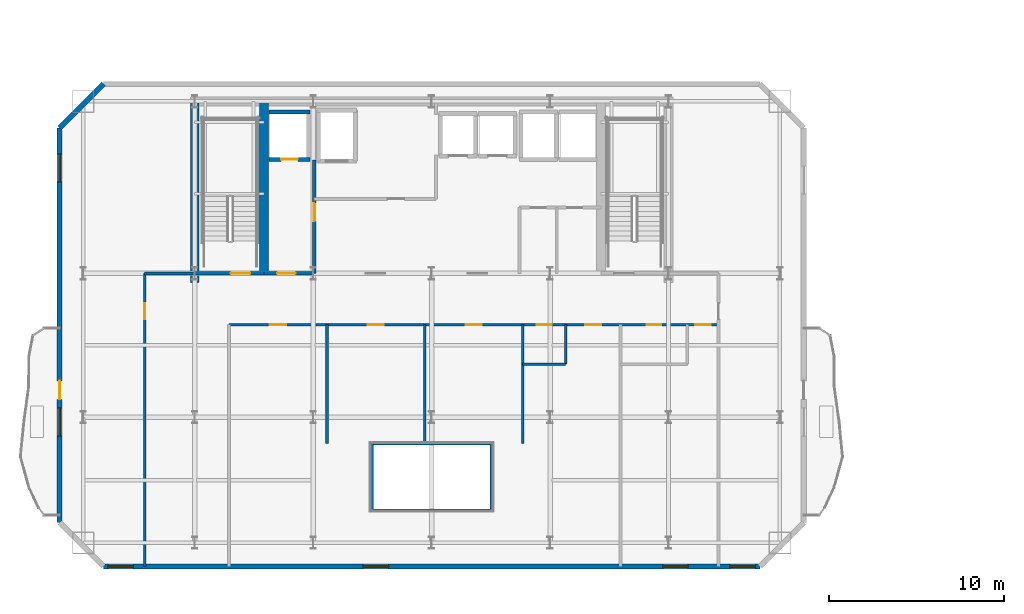
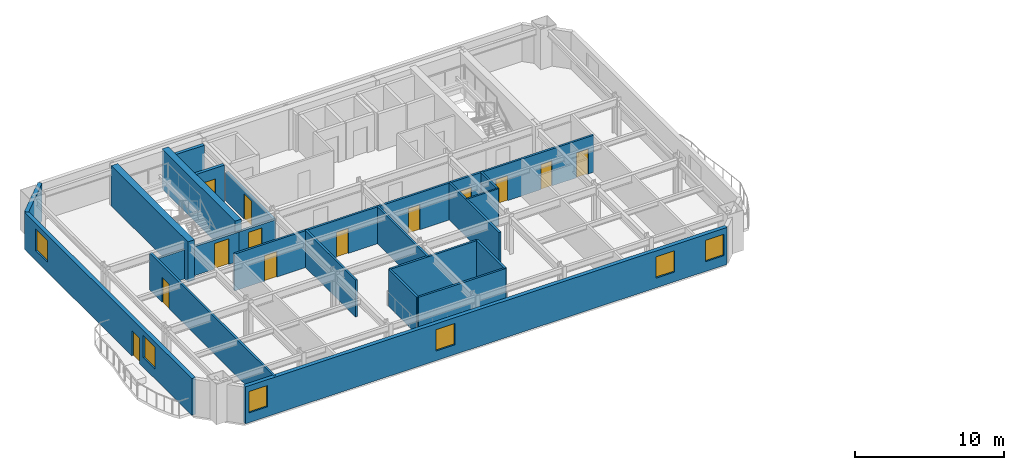
# One storey, part 5 of 13: 22 walls, 13 doors, 6 windows, 19 openings.
"""IFC4 building model written with IfcOpenShell, lengths in metres."""

from ifc_helpers import new_model, si_unit, direction, frame, frame_2d, origin, place, context, subcontext, project, spatial, rectangle, extrude, material, layer, layer_set, type_object, element, fill, save


model = new_model("IFC4")

# Units and contexts
model_context = context("Model", 3, precision=1e-05, world=origin(), true_north=direction((0.0, 1.0)))
body_context = subcontext(model_context, "Body", "Model", "MODEL_VIEW")
ifc_project = project(units=[si_unit("LENGTHUNIT", "METRE"), si_unit("AREAUNIT", "SQUARE_METRE"), si_unit("VOLUMEUNIT", "CUBIC_METRE"), si_unit("PLANEANGLEUNIT", "RADIAN"), si_unit("MASSUNIT", "GRAM", prefix="KILO")], contexts=[model_context])

# Site, building, storey
site_placement = place(None, origin())
site = spatial("IfcSite", under=ifc_project, at=site_placement, CompositionType="ELEMENT")
building_placement = place(site_placement, origin())
building = spatial("IfcBuilding", under=site, at=building_placement, Name="Haevon Station Towers", CompositionType="ELEMENT")
storey_placement = place(building_placement, frame((0.0, 0.0, 149.39990234375)))
storey = spatial("IfcBuildingStorey", under=building, at=storey_placement, Name="L40", CompositionType="ELEMENT", Elevation=149.39990234375)

# Wall, opening, door
ifc_material_1 = material(Name="Gypsum board on steel stud", Category="steel")
ifc_layer_1 = layer(ifc_material_1, 0.199951171875)
ifc_layer_set_1 = layer_set([ifc_layer_1], Name="Gypsum board on steel stud")
wall_type_1 = type_object("IfcWallType", Name="WL-COR200", PredefinedType="PARTITIONING", material=ifc_layer_set_1)
wall_1_placement = place(storey_placement, frame((24.0, 38.199951171875, 0.0), z_axis=(0.0, 0.0, 1.0), x_axis=(1.0, 0.0, 0.0)))
wall_1 = element("IfcWall", 1, at=wall_1_placement, inside=storey, type_object=wall_type_1, Name="WL-ST-ST1-L40", PredefinedType="PARTITIONING", context=body_context, shape_type="SweptSolid", body=[
    extrude(rectangle(XDim=3.949951171875, YDim=0.199951171875, at=frame_2d((1.97509765625, 0.0))), origin(), (0.0, 0.0, 1.0), 2.380126953125),
])
opening_1_placement = place(wall_1_placement, frame((2.050048828125, 0.0, 0.0)))
opening_1 = element("IfcOpeningElement", 2, at=opening_1_placement, cuts=wall_1, Name="Opening DR-ST-ST1-L40", PredefinedType="OPENING", context=body_context, shape_type="SweptSolid", body=[
    extrude(rectangle(XDim=1.1201171875, YDim=2.10009765625, at=frame_2d((0.56005859375, 1.050048828125))), frame((0.0, 0.10986328125, 0.0), z_axis=(0.0, -1.0, 0.0), x_axis=(1.0, 0.0, 0.0)), (0.0, 0.0, 1.0), 0.219970703125),
])
ifc_material_2 = material(Name="Engineered oak timber", Category="wood")
door_type_1 = type_object("IfcDoorType", Name="DR-ST-1120", OperationType="NOTDEFINED", PredefinedType="DOOR", material=ifc_material_2)
door_1_placement = place(opening_1_placement, origin())
door_1 = element("IfcDoor", 3, at=door_1_placement, inside=storey, type_object=door_type_1, Name="L40 Escape Stair ST1 Fire Door", OperationType="SINGLE_SWING_LEFT", OverallHeight=2.10009765625, OverallWidth=1.1201171875, PredefinedType="DOOR", context=body_context, shape_type="SweptSolid", body=[
    extrude(rectangle(XDim=1.1201171875, YDim=2.10009765625, at=frame_2d((0.56005859375, 1.050048828125))), frame((0.0, 0.02490234375, 0.0), z_axis=(0.0, -1.0, 0.0), x_axis=(1.0, 0.0, 0.0)), (0.0, 0.0, 1.0), 0.050048828125),
])
fill(opening_1, door_1)

wall_2_placement = place(storey_placement, frame((30.800048828125, 38.199951171875, 0.0), z_axis=(0.0, 0.0, 1.0), x_axis=(0.0, 1.0, 0.0)))
wall_2 = element("IfcWall", 4, at=wall_2_placement, inside=storey, type_object=wall_type_1, Name="WL-T1FFL-L40-E", PredefinedType="PARTITIONING", context=body_context, shape_type="SweptSolid", body=[
    extrude(rectangle(XDim=6.449951171875, YDim=0.199951171875, at=frame_2d((3.22509765625, 0.0))), origin(), (0.0, 0.0, 1.0), 2.380126953125),
])
opening_2_placement = place(wall_2_placement, frame((2.9599609375, 0.0, 0.0)))
opening_2 = element("IfcOpeningElement", 5, at=opening_2_placement, cuts=wall_2, Name="Opening DR-T1FFL-L40-E", PredefinedType="OPENING", context=body_context, shape_type="SweptSolid", body=[
    extrude(rectangle(XDim=1.050048828125, YDim=2.10009765625, at=frame_2d((0.52490234375, 1.050048828125))), frame((0.0, 0.10986328125, 0.0), z_axis=(0.0, -1.0, 0.0), x_axis=(1.0, 0.0, 0.0)), (0.0, 0.0, 1.0), 0.219970703125),
])
door_type_2 = type_object("IfcDoorType", Name="DR-FD60-1050", OperationType="NOTDEFINED", PredefinedType="DOOR", material=ifc_material_2)
door_2_placement = place(opening_2_placement, origin())
door_2 = element("IfcDoor", 6, at=door_2_placement, inside=storey, type_object=door_type_2, Name="L40 Tower 1 Firefighting Lift Lobby Door E", OperationType="SINGLE_SWING_LEFT", OverallHeight=2.10009765625, OverallWidth=1.050048828125, PredefinedType="DOOR", context=body_context, shape_type="SweptSolid", body=[
    extrude(rectangle(XDim=1.050048828125, YDim=2.10009765625, at=frame_2d((0.52490234375, 1.050048828125))), frame((0.0, 0.02490234375, 0.0), z_axis=(0.0, -1.0, 0.0), x_axis=(1.0, 0.0, 0.0)), (0.0, 0.0, 1.0), 0.050048828125),
])
fill(opening_2, door_2)

wall_3_placement = place(storey_placement, frame((27.949951171875, 38.199951171875, 0.0), z_axis=(0.0, 0.0, 1.0), x_axis=(1.0, 0.0, 0.0)))
wall_3 = element("IfcWall", 7, at=wall_3_placement, inside=storey, type_object=wall_type_1, Name="WL-T1FFL-L40-S", PredefinedType="PARTITIONING", context=body_context, shape_type="SweptSolid", body=[
    extrude(rectangle(XDim=2.85009765625, YDim=0.199951171875, at=frame_2d((1.425048828125, 0.0))), origin(), (0.0, 0.0, 1.0), 2.380126953125),
])
opening_3_placement = place(wall_3_placement, frame((0.75, 0.0, 0.0)))
opening_3 = element("IfcOpeningElement", 8, at=opening_3_placement, cuts=wall_3, Name="Opening DR-T1FFL-L40-S", PredefinedType="OPENING", context=body_context, shape_type="SweptSolid", body=[
    extrude(rectangle(XDim=1.050048828125, YDim=2.10009765625, at=frame_2d((0.52490234375, 1.050048828125))), frame((0.0, 0.10986328125, 0.0), z_axis=(0.0, -1.0, 0.0), x_axis=(1.0, 0.0, 0.0)), (0.0, 0.0, 1.0), 0.219970703125),
])
door_3_placement = place(opening_3_placement, origin())
door_3 = element("IfcDoor", 9, at=door_3_placement, inside=storey, type_object=door_type_2, Name="L40 Tower 1 Firefighting Lift Lobby Door S", OperationType="SINGLE_SWING_RIGHT", OverallHeight=2.10009765625, OverallWidth=1.050048828125, PredefinedType="DOOR", context=body_context, shape_type="SweptSolid", body=[
    extrude(rectangle(XDim=1.050048828125, YDim=2.10009765625, at=frame_2d((0.52490234375, 1.050048828125))), frame((0.0, 0.02490234375, 0.0), z_axis=(0.0, -1.0, 0.0), x_axis=(1.0, 0.0, 0.0)), (0.0, 0.0, 1.0), 0.050048828125),
])
fill(opening_3, door_3)

# Walls
ifc_material_3 = material(Name="Concrete C60/75", Category="concrete")
ifc_layer_2 = layer(ifc_material_3, 0.5)
ifc_layer_set_2 = layer_set([ifc_layer_2], Name="Concrete C60/75")
wall_type_2 = type_object("IfcWallType", Name="WL-CR500", PredefinedType="SHEAR", material=ifc_layer_set_2)
wall_4_placement = place(storey_placement, frame((24.0, 37.679931640625, 0.0), z_axis=(0.0, 0.0, 1.0), x_axis=(0.0, 1.0, 0.0)))
element("IfcWall", 10, at=wall_4_placement, inside=storey, type_object=wall_type_2, Name="WL-T1CR-L40-W", PredefinedType="SHEAR", context=body_context, shape_type="SweptSolid", body=[
    extrude(rectangle(XDim=10.320068359375, YDim=0.5, at=frame_2d((5.16015625, 0.0))), origin(), (0.0, 0.0, 1.0), 3.300048828125),
])
wall_5_placement = place(storey_placement, frame((27.949951171875, 38.199951171875, 0.0), z_axis=(0.0, 0.0, 1.0), x_axis=(0.0, 1.0, 0.0)))
element("IfcWall", 11, at=wall_5_placement, inside=storey, type_object=wall_type_2, Name="WL-T1CR-L40-M1", PredefinedType="SHEAR", context=body_context, shape_type="SweptSolid", body=[
    extrude(rectangle(XDim=9.800048828125, YDim=0.5, at=frame_2d((4.89990234375, 0.0))), origin(), (0.0, 0.0, 1.0), 3.300048828125),
])

# Wall, openings, windows
ifc_material_4 = material(Name="Precast concrete C45/55", Category="concrete")
ifc_layer_3 = layer(ifc_material_4, 0.300048828125)
ifc_layer_set_3 = layer_set([ifc_layer_3], Name="Precast concrete C45/55")
wall_type_3 = type_object("IfcWallType", Name="WL-EXT-PIER300", PredefinedType="SOLIDWALL", material=ifc_layer_set_3)
wall_6_placement = place(storey_placement, frame((56.199951171875, 21.5, 0.0), z_axis=(0.0, 0.0, 1.0), x_axis=(-1.0, 0.0, 0.0)))
wall_6 = element("IfcWall", 12, at=wall_6_placement, inside=storey, type_object=wall_type_3, Name="WL-T1-L40-S", PredefinedType="SOLIDWALL", context=body_context, shape_type="SweptSolid", body=[
    extrude(rectangle(XDim=37.39990234375, YDim=0.300048828125, at=frame_2d((18.699951171875, 0.0))), origin(), (0.0, 0.0, 1.0), 3.030029296875),
])
opening_4_placement = place(wall_6_placement, frame((35.699951171875, 0.0, 0.800048828125)))
opening_4 = element("IfcOpeningElement", 13, at=opening_4_placement, cuts=wall_6, Name="Opening WN-P145", PredefinedType="OPENING", context=body_context, shape_type="SweptSolid", body=[
    extrude(rectangle(XDim=1.449951171875, YDim=1.75, at=frame_2d((0.72509765625, 0.875))), frame((0.0, 0.159912109375, 0.0), z_axis=(0.0, -1.0, 0.0), x_axis=(1.0, 0.0, 0.0)), (0.0, 0.0, 1.0), 0.320068359375),
])
opening_5_placement = place(wall_6_placement, frame((0.25, 0.0, 0.800048828125)))
opening_5 = element("IfcOpeningElement", 14, at=opening_5_placement, cuts=wall_6, Name="Opening WN-P145", PredefinedType="OPENING", context=body_context, shape_type="SweptSolid", body=[
    extrude(rectangle(XDim=1.449951171875, YDim=1.75, at=frame_2d((0.72509765625, 0.875))), frame((0.0, 0.159912109375, 0.0), z_axis=(0.0, -1.0, 0.0), x_axis=(1.0, 0.0, 0.0)), (0.0, 0.0, 1.0), 0.320068359375),
])
opening_6_placement = place(wall_6_placement, frame((21.155029296875, 0.0, 0.800048828125)))
opening_6 = element("IfcOpeningElement", 15, at=opening_6_placement, cuts=wall_6, Name="Opening WN-P145", PredefinedType="OPENING", context=body_context, shape_type="SweptSolid", body=[
    extrude(rectangle(XDim=1.449951171875, YDim=1.75, at=frame_2d((0.72509765625, 0.875))), frame((0.0, 0.159912109375, 0.0), z_axis=(0.0, -1.0, 0.0), x_axis=(1.0, 0.0, 0.0)), (0.0, 0.0, 1.0), 0.320068359375),
])
opening_7_placement = place(wall_6_placement, frame((4.077880859375, 0.0, 0.800048828125)))
opening_7 = element("IfcOpeningElement", 16, at=opening_7_placement, cuts=wall_6, Name="Opening WN-P145", PredefinedType="OPENING", context=body_context, shape_type="SweptSolid", body=[
    extrude(rectangle(XDim=1.449951171875, YDim=1.75, at=frame_2d((0.72509765625, 0.875))), frame((0.0, 0.159912109375, 0.0), z_axis=(0.0, -1.0, 0.0), x_axis=(1.0, 0.0, 0.0)), (0.0, 0.0, 1.0), 0.320068359375),
])
ifc_material_5 = material(Name="Low-E triple glazing in thermally broken aluminium", Category="aluminium")
window_type_1 = type_object("IfcWindowType", Name="WN-P145", PartitioningType="SINGLE_PANEL", PredefinedType="WINDOW", material=ifc_material_5)
window_1_placement = place(opening_4_placement, origin())
window_1 = element("IfcWindow", 17, at=window_1_placement, inside=storey, type_object=window_type_1, Name="WN-T1-L40-S01", OverallHeight=1.75, OverallWidth=1.449951171875, PartitioningType="SINGLE_PANEL", PredefinedType="WINDOW", context=body_context, shape_type="SweptSolid", body=[
    extrude(rectangle(XDim=1.449951171875, YDim=1.75, at=frame_2d((0.72509765625, 0.875))), frame((0.0, 0.030029296875, 0.0), z_axis=(0.0, -1.0, 0.0), x_axis=(1.0, 0.0, 0.0)), (0.0, 0.0, 1.0), 0.06005859375),
])
fill(opening_4, window_1)
window_2_placement = place(opening_5_placement, origin())
window_2 = element("IfcWindow", 18, at=window_2_placement, inside=storey, type_object=window_type_1, Name="WN-T1-L40-S02", OverallHeight=1.75, OverallWidth=1.449951171875, PartitioningType="SINGLE_PANEL", PredefinedType="WINDOW", context=body_context, shape_type="SweptSolid", body=[
    extrude(rectangle(XDim=1.449951171875, YDim=1.75, at=frame_2d((0.72509765625, 0.875))), frame((0.0, 0.030029296875, 0.0), z_axis=(0.0, -1.0, 0.0), x_axis=(1.0, 0.0, 0.0)), (0.0, 0.0, 1.0), 0.06005859375),
])
fill(opening_5, window_2)
window_3_placement = place(opening_6_placement, origin())
window_3 = element("IfcWindow", 19, at=window_3_placement, inside=storey, type_object=window_type_1, Name="WN-T1-L40-S03", OverallHeight=1.75, OverallWidth=1.449951171875, PartitioningType="SINGLE_PANEL", PredefinedType="WINDOW", context=body_context, shape_type="SweptSolid", body=[
    extrude(rectangle(XDim=1.449951171875, YDim=1.75, at=frame_2d((0.72509765625, 0.875))), frame((0.0, 0.030029296875, 0.0), z_axis=(0.0, -1.0, 0.0), x_axis=(1.0, 0.0, 0.0)), (0.0, 0.0, 1.0), 0.06005859375),
])
fill(opening_6, window_3)
window_4_placement = place(opening_7_placement, origin())
window_4 = element("IfcWindow", 20, at=window_4_placement, inside=storey, type_object=window_type_1, Name="WN-T1-L40-S04", OverallHeight=1.75, OverallWidth=1.449951171875, PartitioningType="SINGLE_PANEL", PredefinedType="WINDOW", context=body_context, shape_type="SweptSolid", body=[
    extrude(rectangle(XDim=1.449951171875, YDim=1.75, at=frame_2d((0.72509765625, 0.875))), frame((0.0, 0.030029296875, 0.0), z_axis=(0.0, -1.0, 0.0), x_axis=(1.0, 0.0, 0.0)), (0.0, 0.0, 1.0), 0.06005859375),
])
fill(opening_7, window_4)

# Wall, openings, door, windows
wall_7_placement = place(storey_placement, frame((16.300048828125, 24.0, 0.0), z_axis=(0.0, 0.0, 1.0), x_axis=(0.0, 1.0, 0.0)))
wall_7 = element("IfcWall", 21, at=wall_7_placement, inside=storey, type_object=wall_type_3, Name="WL-T1-L40-W", PredefinedType="SOLIDWALL", context=body_context, shape_type="SweptSolid", body=[
    extrude(rectangle(XDim=22.5, YDim=0.300048828125, at=frame_2d((11.25, 0.0))), origin(), (0.0, 0.0, 1.0), 3.030029296875),
])
opening_8_placement = place(wall_7_placement, frame((7.02490234375, 0.0, 0.0)))
opening_8 = element("IfcOpeningElement", 22, at=opening_8_placement, cuts=wall_7, Name="Opening DR-T1-SCAL-L40-W", PredefinedType="OPENING", context=body_context, shape_type="SweptSolid", body=[
    extrude(rectangle(XDim=1.050048828125, YDim=2.10009765625, at=frame_2d((0.52490234375, 1.050048828125))), frame((0.0, 0.159912109375, 0.0), z_axis=(0.0, -1.0, 0.0), x_axis=(1.0, 0.0, 0.0)), (0.0, 0.0, 1.0), 0.320068359375),
])
opening_9_placement = place(wall_7_placement, frame((4.935791015625, 0.0, 0.800048828125)))
opening_9 = element("IfcOpeningElement", 23, at=opening_9_placement, cuts=wall_7, Name="Opening WN-END160", PredefinedType="OPENING", context=body_context, shape_type="SweptSolid", body=[
    extrude(rectangle(XDim=1.60009765625, YDim=1.800048828125, at=frame_2d((0.800048828125, 0.89990234375))), frame((0.0, 0.159912109375, 0.0), z_axis=(0.0, -1.0, 0.0), x_axis=(1.0, 0.0, 0.0)), (0.0, 0.0, 1.0), 0.320068359375),
])
opening_10_placement = place(wall_7_placement, frame((19.41064453125, 0.0, 0.800048828125)))
opening_10 = element("IfcOpeningElement", 24, at=opening_10_placement, cuts=wall_7, Name="Opening WN-END160", PredefinedType="OPENING", context=body_context, shape_type="SweptSolid", body=[
    extrude(rectangle(XDim=1.60009765625, YDim=1.800048828125, at=frame_2d((0.800048828125, 0.89990234375))), frame((0.0, 0.159912109375, 0.0), z_axis=(0.0, -1.0, 0.0), x_axis=(1.0, 0.0, 0.0)), (0.0, 0.0, 1.0), 0.320068359375),
])
ifc_material_6 = material(Name="Thermally broken anodised aluminium and laminated safety glass", Category="aluminium")
door_type_3 = type_object("IfcDoorType", Name="DR-BALC-1050", OperationType="NOTDEFINED", PredefinedType="DOOR", material=ifc_material_6)
door_4_placement = place(opening_8_placement, origin())
door_4 = element("IfcDoor", 25, at=door_4_placement, inside=storey, type_object=door_type_3, Name="Tower 1 L40 West Scalloped Balcony Door", OperationType="SINGLE_SWING_RIGHT", OverallHeight=2.10009765625, OverallWidth=1.050048828125, PredefinedType="DOOR", context=body_context, shape_type="SweptSolid", body=[
    extrude(rectangle(XDim=1.050048828125, YDim=2.10009765625, at=frame_2d((0.52490234375, 1.050048828125))), frame((0.0, 0.02490234375, 0.0), z_axis=(0.0, -1.0, 0.0), x_axis=(1.0, 0.0, 0.0)), (0.0, 0.0, 1.0), 0.050048828125),
])
fill(opening_8, door_4)
window_type_2 = type_object("IfcWindowType", Name="WN-END160", PartitioningType="SINGLE_PANEL", PredefinedType="WINDOW", material=ifc_material_5)
window_5_placement = place(opening_9_placement, origin())
window_5 = element("IfcWindow", 26, at=window_5_placement, inside=storey, type_object=window_type_2, Name="WN-T1-L40-W01", OverallHeight=1.800048828125, OverallWidth=1.60009765625, PartitioningType="SINGLE_PANEL", PredefinedType="WINDOW", context=body_context, shape_type="SweptSolid", body=[
    extrude(rectangle(XDim=1.60009765625, YDim=1.800048828125, at=frame_2d((0.800048828125, 0.89990234375))), frame((0.0, 0.030029296875, 0.0), z_axis=(0.0, -1.0, 0.0), x_axis=(1.0, 0.0, 0.0)), (0.0, 0.0, 1.0), 0.06005859375),
])
fill(opening_9, window_5)
window_6_placement = place(opening_10_placement, origin())
window_6 = element("IfcWindow", 27, at=window_6_placement, inside=storey, type_object=window_type_2, Name="WN-T1-L40-W02", OverallHeight=1.800048828125, OverallWidth=1.60009765625, PartitioningType="SINGLE_PANEL", PredefinedType="WINDOW", context=body_context, shape_type="SweptSolid", body=[
    extrude(rectangle(XDim=1.60009765625, YDim=1.800048828125, at=frame_2d((0.800048828125, 0.89990234375))), frame((0.0, 0.030029296875, 0.0), z_axis=(0.0, -1.0, 0.0), x_axis=(1.0, 0.0, 0.0)), (0.0, 0.0, 1.0), 0.06005859375),
])
fill(opening_10, window_6)

# Walls
wall_8_placement = place(storey_placement, frame((16.300048828125, 46.5, 0.0), z_axis=(0.0, 0.0, 1.0), x_axis=(0.707106781187, 0.707106781187, 0.0)))
element("IfcWall", 28, at=wall_8_placement, inside=storey, type_object=wall_type_3, Name="WL-T1-L40-NWC", PredefinedType="SOLIDWALL", context=body_context, shape_type="SweptSolid", body=[
    extrude(rectangle(XDim=3.53564453125, YDim=0.300048828125, at=frame_2d((1.767822265625, 0.0))), origin(), (0.0, 0.0, 1.0), 3.030029296875),
])
ifc_layer_4 = layer(ifc_material_1, 0.125)
ifc_layer_set_4 = layer_set([ifc_layer_4], Name="Gypsum board on steel stud")
wall_type_4 = type_object("IfcWallType", Name="WL-PRT125", PredefinedType="PARTITIONING", material=ifc_layer_set_4)
wall_9_placement = place(storey_placement, frame((42.68994140625, 33.030029296875, 0.0), z_axis=(0.0, 0.0, 1.0), x_axis=(1.0, 0.0, 0.0)))
element("IfcWall", 29, at=wall_9_placement, inside=storey, type_object=wall_type_4, Name="WL-T1PT-L40-15", PredefinedType="PARTITIONING", context=body_context, shape_type="SweptSolid", body=[
    extrude(rectangle(XDim=2.449951171875, YDim=0.125, at=frame_2d((1.22509765625, 0.0))), origin(), (0.0, 0.0, 1.0), 3.030029296875),
])
ifc_layer_5 = layer(ifc_material_1, 0.139892578125)
ifc_layer_set_5 = layer_set([ifc_layer_5], Name="Gypsum board on steel stud")
wall_type_5 = type_object("IfcWallType", Name="WL-PRT140", PredefinedType="PARTITIONING", material=ifc_layer_set_5)
wall_10_placement = place(storey_placement, frame((45.139892578125, 33.030029296875, 0.0), z_axis=(0.0, 0.0, 1.0), x_axis=(0.0, 1.0, 0.0)))
element("IfcWall", 30, at=wall_10_placement, inside=storey, type_object=wall_type_5, Name="WL-T1PT-L40-16", PredefinedType="PARTITIONING", context=body_context, shape_type="SweptSolid", body=[
    extrude(rectangle(XDim=2.25, YDim=0.139892578125, at=frame_2d((1.125, 0.0))), origin(), (0.0, 0.0, 1.0), 3.030029296875),
])
ifc_layer_6 = layer(ifc_material_1, 0.159912109375)
ifc_layer_set_6 = layer_set([ifc_layer_6], Name="Gypsum board on steel stud")
wall_type_6 = type_object("IfcWallType", Name="WL-PRT160", PredefinedType="PARTITIONING", material=ifc_layer_set_6)
wall_11_placement = place(storey_placement, frame((21.14990234375, 38.199951171875, 0.0), z_axis=(0.0, 0.0, 1.0), x_axis=(1.0, 0.0, 0.0)))
element("IfcWall", 31, at=wall_11_placement, inside=storey, type_object=wall_type_6, Name="WL-T1PT-L40-02", PredefinedType="PARTITIONING", context=body_context, shape_type="SweptSolid", body=[
    extrude(rectangle(XDim=2.85009765625, YDim=0.159912109375, at=frame_2d((1.425048828125, 0.0))), origin(), (0.0, 0.0, 1.0), 2.380126953125),
])

# Wall, opening, door
wall_12_placement = place(storey_placement, frame((21.14990234375, 21.5, 0.0), z_axis=(0.0, 0.0, 1.0), x_axis=(0.0, 1.0, 0.0)))
wall_12 = element("IfcWall", 32, at=wall_12_placement, inside=storey, type_object=wall_type_6, Name="WL-T1PT-L40-04", PredefinedType="PARTITIONING", context=body_context, shape_type="SweptSolid", body=[
    extrude(rectangle(XDim=16.699951171875, YDim=0.159912109375, at=frame_2d((8.35009765625, 0.0))), origin(), (0.0, 0.0, 1.0), 3.030029296875),
])
opening_11_placement = place(wall_12_placement, frame((14.10009765625, 0.0, 0.0)))
opening_11 = element("IfcOpeningElement", 33, at=opening_11_placement, cuts=wall_12, Name="Opening DR-WL-T1PT-L40-04-01", PredefinedType="OPENING", context=body_context, shape_type="SweptSolid", body=[
    extrude(rectangle(XDim=0.89990234375, YDim=2.050048828125, at=frame_2d((0.449951171875, 1.02490234375))), frame((0.0, 0.08984375, 0.0), z_axis=(0.0, -1.0, 0.0), x_axis=(1.0, 0.0, 0.0)), (0.0, 0.0, 1.0), 0.179931640625),
])
door_type_4 = type_object("IfcDoorType", Name="DR-INT-900", OperationType="NOTDEFINED", PredefinedType="DOOR", material=ifc_material_2)
door_5_placement = place(opening_11_placement, origin())
door_5 = element("IfcDoor", 34, at=door_5_placement, inside=storey, type_object=door_type_4, Name="L40 Tower 1 Room Door 4-1", OperationType="SINGLE_SWING_RIGHT", OverallHeight=2.050048828125, OverallWidth=0.89990234375, PredefinedType="DOOR", context=body_context, shape_type="SweptSolid", body=[
    extrude(rectangle(XDim=0.89990234375, YDim=2.050048828125, at=frame_2d((0.449951171875, 1.02490234375))), frame((0.0, 0.02490234375, 0.0), z_axis=(0.0, -1.0, 0.0), x_axis=(1.0, 0.0, 0.0)), (0.0, 0.0, 1.0), 0.050048828125),
])
fill(opening_11, door_5)

# Walls
for number, where, z_axis, x_axis, name in (
    (35, (34.10009765625, 24.699951171875, 0.0), (0.0, 0.0, 1.0), (1.0, 0.0, 0.0), "WL-T1PT-L40-06"),
    (36, (34.10009765625, 28.5, 0.0), (0.0, 0.0, 1.0), (1.0, 0.0, 0.0), "WL-T1PT-L40-07"),
):
    element("IfcWall", number, at=place(storey_placement, frame(where, z_axis=z_axis, x_axis=x_axis)), inside=storey, type_object=wall_type_6, Name=name, PredefinedType="PARTITIONING", context=body_context, shape_type="SweptSolid", body=[
        extrude(rectangle(XDim=6.7998046875, YDim=0.159912109375, at=frame_2d((3.39990234375, 0.0))), origin(), (0.0, 0.0, 1.0), 3.030029296875),
    ])
for number, where, z_axis, x_axis, name in (
    (37, (34.10009765625, 24.699951171875, 0.0), (0.0, 0.0, 1.0), (0.0, 1.0, 0.0), "WL-T1PT-L40-08"),
    (38, (40.89990234375, 24.699951171875, 0.0), (0.0, 0.0, 1.0), (0.0, 1.0, 0.0), "WL-T1PT-L40-09"),
):
    element("IfcWall", number, at=place(storey_placement, frame(where, z_axis=z_axis, x_axis=x_axis)), inside=storey, type_object=wall_type_6, Name=name, PredefinedType="PARTITIONING", context=body_context, shape_type="SweptSolid", body=[
        extrude(rectangle(XDim=3.800048828125, YDim=0.159912109375, at=frame_2d((1.89990234375, 0.0))), origin(), (0.0, 0.0, 1.0), 3.030029296875),
    ])
for number, where, z_axis, x_axis, name in (
    (39, (31.530029296875, 28.5, 0.0), (0.0, 0.0, 1.0), (0.0, 1.0, 0.0), "WL-T1PT-L40-10"),
    (40, (37.110107421875, 28.5, 0.0), (0.0, 0.0, 1.0), (0.0, 1.0, 0.0), "WL-T1PT-L40-11"),
    (41, (42.68994140625, 28.5, 0.0), (0.0, 0.0, 1.0), (0.0, 1.0, 0.0), "WL-T1PT-L40-13"),
):
    element("IfcWall", number, at=place(storey_placement, frame(where, z_axis=z_axis, x_axis=x_axis)), inside=storey, type_object=wall_type_6, Name=name, PredefinedType="PARTITIONING", context=body_context, shape_type="SweptSolid", body=[
        extrude(rectangle(XDim=6.780029296875, YDim=0.159912109375, at=frame_2d((3.39013671875, 0.0))), origin(), (0.0, 0.0, 1.0), 3.030029296875),
    ])

# Wall, openings, doors
wall_13_placement = place(storey_placement, frame((25.949951171875, 35.280029296875, 0.0), z_axis=(0.0, 0.0, 1.0), x_axis=(1.0, 0.0, 0.0)))
wall_13 = element("IfcWall", 42, at=wall_13_placement, inside=storey, type_object=wall_type_6, Name="WL-T1PT-L40-20", PredefinedType="PARTITIONING", context=body_context, shape_type="SweptSolid", body=[
    extrude(rectangle(XDim=27.900146484375, YDim=0.159912109375, at=frame_2d((13.9501953125, 0.0))), origin(), (0.0, 0.0, 1.0), 3.030029296875),
])
opening_12_placement = place(wall_13_placement, frame((2.31494140625, 0.0, 0.0)))
opening_12 = element("IfcOpeningElement", 43, at=opening_12_placement, cuts=wall_13, Name="Opening DR-WL-T1PT-L40-20-01", PredefinedType="OPENING", context=body_context, shape_type="SweptSolid", body=[
    extrude(rectangle(XDim=0.949951171875, YDim=2.10009765625, at=frame_2d((0.47509765625, 1.050048828125))), frame((0.0, 0.08984375, 0.0), z_axis=(0.0, -1.0, 0.0), x_axis=(1.0, 0.0, 0.0)), (0.0, 0.0, 1.0), 0.179931640625),
])
opening_13_placement = place(wall_13_placement, frame((7.919921875, 0.0, 0.0)))
opening_13 = element("IfcOpeningElement", 44, at=opening_13_placement, cuts=wall_13, Name="Opening DR-WL-T1PT-L40-20-02", PredefinedType="OPENING", context=body_context, shape_type="SweptSolid", body=[
    extrude(rectangle(XDim=0.89990234375, YDim=2.050048828125, at=frame_2d((0.449951171875, 1.02490234375))), frame((0.0, 0.08984375, 0.0), z_axis=(0.0, -1.0, 0.0), x_axis=(1.0, 0.0, 0.0)), (0.0, 0.0, 1.0), 0.179931640625),
])
opening_14_placement = place(wall_13_placement, frame((13.5, 0.0, 0.0)))
opening_14 = element("IfcOpeningElement", 45, at=opening_14_placement, cuts=wall_13, Name="Opening DR-WL-T1PT-L40-20-03", PredefinedType="OPENING", context=body_context, shape_type="SweptSolid", body=[
    extrude(rectangle(XDim=0.89990234375, YDim=2.050048828125, at=frame_2d((0.449951171875, 1.02490234375))), frame((0.0, 0.08984375, 0.0), z_axis=(0.0, -1.0, 0.0), x_axis=(1.0, 0.0, 0.0)), (0.0, 0.0, 1.0), 0.179931640625),
])
opening_15_placement = place(wall_13_placement, frame((17.5400390625, 0.0, 0.0)))
opening_15 = element("IfcOpeningElement", 46, at=opening_15_placement, cuts=wall_13, Name="Opening DR-WL-T1PT-L40-20-04", PredefinedType="OPENING", context=body_context, shape_type="SweptSolid", body=[
    extrude(rectangle(XDim=0.85009765625, YDim=2.050048828125, at=frame_2d((0.425048828125, 1.02490234375))), frame((0.0, 0.08984375, 0.0), z_axis=(0.0, -1.0, 0.0), x_axis=(1.0, 0.0, 0.0)), (0.0, 0.0, 1.0), 0.179931640625),
])
opening_16_placement = place(wall_13_placement, frame((20.304931640625, 0.0, 0.0)))
opening_16 = element("IfcOpeningElement", 47, at=opening_16_placement, cuts=wall_13, Name="Opening DR-WL-T1PT-L40-20-05", PredefinedType="OPENING", context=body_context, shape_type="SweptSolid", body=[
    extrude(rectangle(XDim=0.89990234375, YDim=2.050048828125, at=frame_2d((0.449951171875, 1.02490234375))), frame((0.0, 0.08984375, 0.0), z_axis=(0.0, -1.0, 0.0), x_axis=(1.0, 0.0, 0.0)), (0.0, 0.0, 1.0), 0.179931640625),
])
opening_17_placement = place(wall_13_placement, frame((23.794921875, 0.0, 0.0)))
opening_17 = element("IfcOpeningElement", 48, at=opening_17_placement, cuts=wall_13, Name="Opening DR-WL-T1PT-L40-20-06", PredefinedType="OPENING", context=body_context, shape_type="SweptSolid", body=[
    extrude(rectangle(XDim=0.85009765625, YDim=2.050048828125, at=frame_2d((0.425048828125, 1.02490234375))), frame((0.0, 0.08984375, 0.0), z_axis=(0.0, -1.0, 0.0), x_axis=(1.0, 0.0, 0.0)), (0.0, 0.0, 1.0), 0.179931640625),
])
opening_18_placement = place(wall_13_placement, frame((26.56005859375, 0.0, 0.0)))
opening_18 = element("IfcOpeningElement", 49, at=opening_18_placement, cuts=wall_13, Name="Opening DR-WL-T1PT-L40-20-07", PredefinedType="OPENING", context=body_context, shape_type="SweptSolid", body=[
    extrude(rectangle(XDim=0.89990234375, YDim=2.050048828125, at=frame_2d((0.449951171875, 1.02490234375))), frame((0.0, 0.08984375, 0.0), z_axis=(0.0, -1.0, 0.0), x_axis=(1.0, 0.0, 0.0)), (0.0, 0.0, 1.0), 0.179931640625),
])
door_type_5 = type_object("IfcDoorType", Name="DR-FD30-850", OperationType="NOTDEFINED", PredefinedType="DOOR", material=ifc_material_2)
door_6_placement = place(opening_15_placement, origin())
door_6 = element("IfcDoor", 50, at=door_6_placement, inside=storey, type_object=door_type_5, Name="L40 Tower 1 Room Door 20-4", OperationType="SINGLE_SWING_LEFT", OverallHeight=2.050048828125, OverallWidth=0.85009765625, PredefinedType="DOOR", context=body_context, shape_type="SweptSolid", body=[
    extrude(rectangle(XDim=0.85009765625, YDim=2.050048828125, at=frame_2d((0.425048828125, 1.02490234375))), frame((0.0, 0.02490234375, 0.0), z_axis=(0.0, -1.0, 0.0), x_axis=(1.0, 0.0, 0.0)), (0.0, 0.0, 1.0), 0.050048828125),
])
fill(opening_15, door_6)
door_7_placement = place(opening_17_placement, origin())
door_7 = element("IfcDoor", 51, at=door_7_placement, inside=storey, type_object=door_type_5, Name="L40 Tower 1 Room Door 20-6", OperationType="SINGLE_SWING_LEFT", OverallHeight=2.050048828125, OverallWidth=0.85009765625, PredefinedType="DOOR", context=body_context, shape_type="SweptSolid", body=[
    extrude(rectangle(XDim=0.85009765625, YDim=2.050048828125, at=frame_2d((0.425048828125, 1.02490234375))), frame((0.0, 0.02490234375, 0.0), z_axis=(0.0, -1.0, 0.0), x_axis=(1.0, 0.0, 0.0)), (0.0, 0.0, 1.0), 0.050048828125),
])
fill(opening_17, door_7)
door_type_6 = type_object("IfcDoorType", Name="DR-FD30-950", OperationType="NOTDEFINED", PredefinedType="DOOR", material=ifc_material_2)
door_8_placement = place(opening_12_placement, origin())
door_8 = element("IfcDoor", 52, at=door_8_placement, inside=storey, type_object=door_type_6, Name="L40 Tower 1 Room Door 20-1", OperationType="SINGLE_SWING_RIGHT", OverallHeight=2.10009765625, OverallWidth=0.949951171875, PredefinedType="DOOR", context=body_context, shape_type="SweptSolid", body=[
    extrude(rectangle(XDim=0.949951171875, YDim=2.10009765625, at=frame_2d((0.47509765625, 1.050048828125))), frame((0.0, 0.02490234375, 0.0), z_axis=(0.0, -1.0, 0.0), x_axis=(1.0, 0.0, 0.0)), (0.0, 0.0, 1.0), 0.050048828125),
])
fill(opening_12, door_8)
door_9_placement = place(opening_13_placement, origin())
door_9 = element("IfcDoor", 53, at=door_9_placement, inside=storey, type_object=door_type_4, Name="L40 Tower 1 Room Door 20-2", OperationType="SINGLE_SWING_LEFT", OverallHeight=2.050048828125, OverallWidth=0.89990234375, PredefinedType="DOOR", context=body_context, shape_type="SweptSolid", body=[
    extrude(rectangle(XDim=0.89990234375, YDim=2.050048828125, at=frame_2d((0.449951171875, 1.02490234375))), frame((0.0, 0.02490234375, 0.0), z_axis=(0.0, -1.0, 0.0), x_axis=(1.0, 0.0, 0.0)), (0.0, 0.0, 1.0), 0.050048828125),
])
fill(opening_13, door_9)
door_10_placement = place(opening_14_placement, origin())
door_10 = element("IfcDoor", 54, at=door_10_placement, inside=storey, type_object=door_type_4, Name="L40 Tower 1 Room Door 20-3", OperationType="SINGLE_SWING_RIGHT", OverallHeight=2.050048828125, OverallWidth=0.89990234375, PredefinedType="DOOR", context=body_context, shape_type="SweptSolid", body=[
    extrude(rectangle(XDim=0.89990234375, YDim=2.050048828125, at=frame_2d((0.449951171875, 1.02490234375))), frame((0.0, 0.02490234375, 0.0), z_axis=(0.0, -1.0, 0.0), x_axis=(1.0, 0.0, 0.0)), (0.0, 0.0, 1.0), 0.050048828125),
])
fill(opening_14, door_10)
door_11_placement = place(opening_16_placement, origin())
door_11 = element("IfcDoor", 55, at=door_11_placement, inside=storey, type_object=door_type_4, Name="L40 Tower 1 Room Door 20-5", OperationType="SINGLE_SWING_RIGHT", OverallHeight=2.050048828125, OverallWidth=0.89990234375, PredefinedType="DOOR", context=body_context, shape_type="SweptSolid", body=[
    extrude(rectangle(XDim=0.89990234375, YDim=2.050048828125, at=frame_2d((0.449951171875, 1.02490234375))), frame((0.0, 0.02490234375, 0.0), z_axis=(0.0, -1.0, 0.0), x_axis=(1.0, 0.0, 0.0)), (0.0, 0.0, 1.0), 0.050048828125),
])
fill(opening_16, door_11)
door_12_placement = place(opening_18_placement, origin())
door_12 = element("IfcDoor", 56, at=door_12_placement, inside=storey, type_object=door_type_4, Name="L40 Tower 1 Room Door 20-7", OperationType="SINGLE_SWING_RIGHT", OverallHeight=2.050048828125, OverallWidth=0.89990234375, PredefinedType="DOOR", context=body_context, shape_type="SweptSolid", body=[
    extrude(rectangle(XDim=0.89990234375, YDim=2.050048828125, at=frame_2d((0.449951171875, 1.02490234375))), frame((0.0, 0.02490234375, 0.0), z_axis=(0.0, -1.0, 0.0), x_axis=(1.0, 0.0, 0.0)), (0.0, 0.0, 1.0), 0.050048828125),
])
fill(opening_18, door_12)

# Wall, opening, door
ifc_material_7 = material(Name="Concrete C40/50", Category="concrete")
ifc_layer_7 = layer(ifc_material_7, 0.239990234375)
ifc_layer_set_7 = layer_set([ifc_layer_7], Name="Concrete C40/50")
wall_type_7 = type_object("IfcWallType", Name="WL-SHF240", PredefinedType="PARTITIONING", material=ifc_layer_set_7)
wall_14_placement = place(storey_placement, frame((28.219970703125, 44.699951171875, 0.0), z_axis=(0.0, 0.0, 1.0), x_axis=(1.0, 0.0, 0.0)))
wall_14 = element("IfcWall", 57, at=wall_14_placement, inside=storey, type_object=wall_type_7, Name="WL-SHF-FL1-L40", PredefinedType="PARTITIONING", context=body_context, shape_type="SweptSolid", body=[
    extrude(rectangle(XDim=2.360107421875, YDim=0.239990234375, at=frame_2d((1.18017578125, 0.0))), origin(), (0.0, 0.0, 1.0), 3.030029296875),
])
opening_19_placement = place(wall_14_placement, frame((0.705078125, 0.0, 0.0)))
opening_19 = element("IfcOpeningElement", 58, at=opening_19_placement, cuts=wall_14, Name="Opening LD-FL1-L40", PredefinedType="OPENING", context=body_context, shape_type="SweptSolid", body=[
    extrude(rectangle(XDim=0.949951171875, YDim=2.14990234375, at=frame_2d((0.47509765625, 1.074951171875))), frame((0.0, 0.1298828125, 0.0), z_axis=(0.0, -1.0, 0.0), x_axis=(1.0, 0.0, 0.0)), (0.0, 0.0, 1.0), 0.260009765625),
])
ifc_material_8 = material(Name="Stainless steel and rated core", Category="steel")
door_type_7 = type_object("IfcDoorType", Name="LD-FL950", OperationType="SLIDING_TO_LEFT", PredefinedType="DOOR", material=ifc_material_8)
door_13_placement = place(opening_19_placement, origin())
door_13 = element("IfcDoor", 59, at=door_13_placement, inside=storey, type_object=door_type_7, Name="L40 Lift FL1 Sliding Landing Door", OperationType="SLIDING_TO_LEFT", OverallHeight=2.14990234375, OverallWidth=0.949951171875, PredefinedType="DOOR", context=body_context, shape_type="SweptSolid", body=[
    extrude(rectangle(XDim=0.949951171875, YDim=2.14990234375, at=frame_2d((0.47509765625, 1.074951171875))), frame((0.0, 0.02490234375, 0.0), z_axis=(0.0, -1.0, 0.0), x_axis=(1.0, 0.0, 0.0)), (0.0, 0.0, 1.0), 0.050048828125),
])
fill(opening_19, door_13)

# Wall
wall_15_placement = place(storey_placement, frame((28.219970703125, 47.39990234375, 0.0), z_axis=(0.0, 0.0, 1.0), x_axis=(1.0, 0.0, 0.0)))
element("IfcWall", 60, at=wall_15_placement, inside=storey, type_object=wall_type_7, Name="WL-SHF-FL1-L40-N", PredefinedType="PARTITIONING", context=body_context, shape_type="SweptSolid", body=[
    extrude(rectangle(XDim=2.360107421875, YDim=0.239990234375, at=frame_2d((1.18017578125, 0.0))), origin(), (0.0, 0.0, 1.0), 3.030029296875),
])

save(model, "model.ifc")
